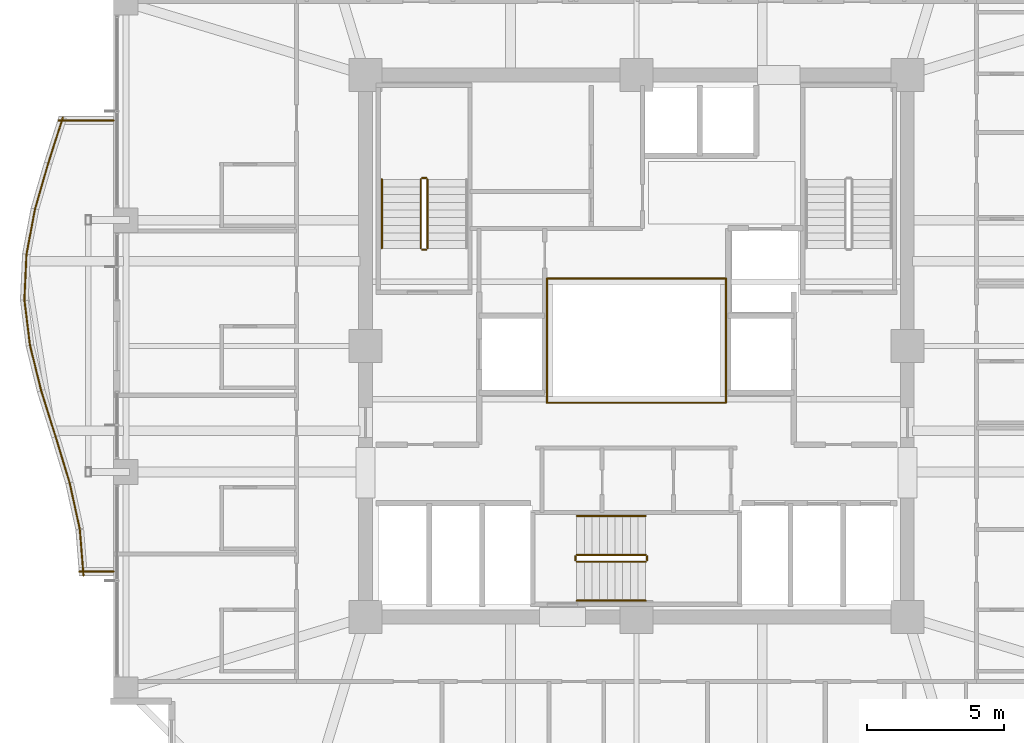
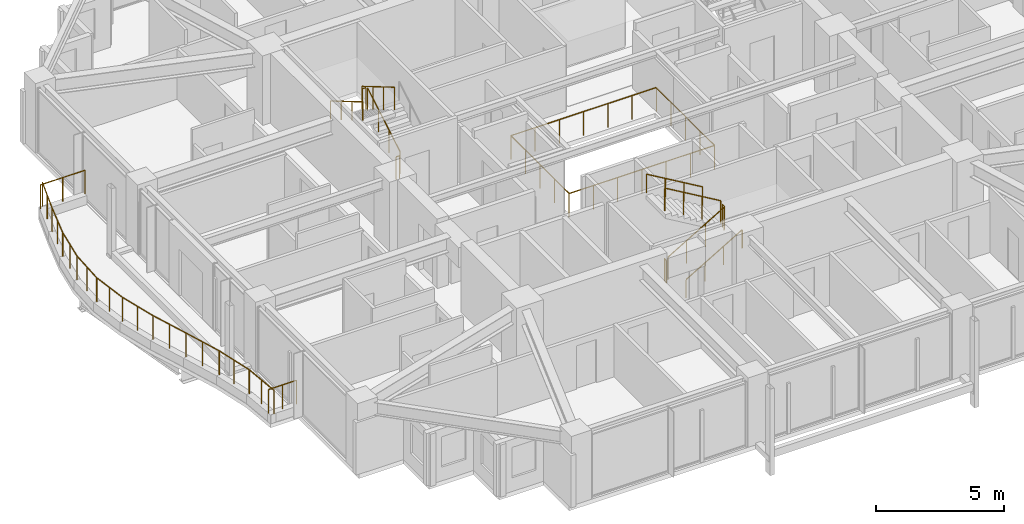
# One storey, part 36 of 37: 27 railings.
"""IFC4 building model written with IfcOpenShell, lengths in metres."""

import ifcopenshell
import ifcopenshell.guid

model = None  # the IFC model being written
_history = None  # IfcOwnerHistory: only IFC2X3 demands one
_inside = {}  # id of a spatial element -> (the spatial element, [elements in it])
_under = {}  # id of a project, library or spatial element -> (it, [spatial elements below it])
_declared = {}  # id of a project -> (the project, [libraries it declares])
_typed = {}  # id of a type object -> (the type object, [elements of that type])
_made_of = {}  # id of a material, layer set ... -> (it, [elements and type objects made of it])


def new_model(schema):
    """Start an empty IFC model of exactly this schema.

    Asked for "IFC4X3", IfcOpenShell would pick the latest addendum, in which some entities
    have other attributes; the version numbers below select the first issue.
    IFC2X3 requires an IfcOwnerHistory on every rooted entity: one is made here for all.
    """
    global model, _history
    if schema == "IFC4X3":
        model = ifcopenshell.file(schema_version=(4, 3, 0, 0))
    else:
        model = ifcopenshell.file(schema=schema)
    _inside.clear()
    _under.clear()
    _declared.clear()
    _typed.clear()
    _made_of.clear()
    _history = None
    if model.schema == "IFC2X3":
        org = make("IfcOrganization", Name="unknown")
        user = make(
            "IfcPersonAndOrganization",
            ThePerson=make("IfcPerson", FamilyName="unknown"),
            TheOrganization=org,
        )
        app = make(
            "IfcApplication",
            ApplicationDeveloper=org,
            Version="unknown",
            ApplicationFullName="unknown",
            ApplicationIdentifier="unknown",
        )
        _history = make(
            "IfcOwnerHistory",
            OwningUser=user,
            OwningApplication=app,
            ChangeAction="ADDED",
            CreationDate=0,
        )
    return model


def make(cls, **values):
    """One entity of the class cls with the attributes given. An attribute that is None is left unset."""
    return model.create_entity(
        cls, **{name: value for name, value in values.items() if value is not None}
    )


def rooted(cls, **values):
    """An entity with a GlobalId (a new one), such as an element, a storey or a relation."""
    return make(cls, GlobalId=ifcopenshell.guid.new(), OwnerHistory=_history, **values)


def si_unit(unit_type, name, prefix=None):
    """IfcSIUnit, for example si_unit("LENGTHUNIT", "METRE", prefix="MILLI")."""
    return make("IfcSIUnit", UnitType=unit_type, Prefix=prefix, Name=name)


def assignment(units):
    """IfcUnitAssignment: the units of a project."""
    return None if units is None else make("IfcUnitAssignment", Units=units)


def point(xyz):
    """IfcCartesianPoint."""
    return None if xyz is None else make("IfcCartesianPoint", Coordinates=xyz)


def direction(xyz):
    """IfcDirection."""
    return None if xyz is None else make("IfcDirection", DirectionRatios=xyz)


def frame(location, z_axis=None, x_axis=None):
    """IfcAxis2Placement3D, a coordinate frame: its origin and axes. An axis left out is left unset."""
    return make(
        "IfcAxis2Placement3D",
        Location=point(location),
        Axis=direction(z_axis),
        RefDirection=direction(x_axis),
    )


def frame_2d(location, x_axis=None):
    """IfcAxis2Placement2D, a coordinate frame in the plane: its origin and x axis."""
    return make(
        "IfcAxis2Placement2D", Location=point(location), RefDirection=direction(x_axis)
    )


def origin():
    """The frame at (0, 0, 0) with its axes left unset."""
    return frame((0.0, 0.0, 0.0))


def origin_2d():
    """The frame at (0, 0) in the plane with its x axis left unset."""
    return frame_2d((0.0, 0.0))


def place(relative_to, where):
    """IfcLocalPlacement: puts the frame where relative to a parent placement (None: the world)."""
    return make(
        "IfcLocalPlacement", PlacementRelTo=relative_to, RelativePlacement=where
    )


def context(
    kind, dimensions, precision=None, world=None, true_north=None, identifier=None
):
    """IfcGeometricRepresentationContext, for example the 3D "Model" context."""
    return make(
        "IfcGeometricRepresentationContext",
        ContextIdentifier=identifier,
        ContextType=kind,
        CoordinateSpaceDimension=dimensions,
        Precision=precision,
        WorldCoordinateSystem=world,
        TrueNorth=true_north,
    )


def subcontext(parent, identifier, kind, view, scale=None):
    """IfcGeometricRepresentationSubContext, for example "Body" below "Model"."""
    return make(
        "IfcGeometricRepresentationSubContext",
        ContextIdentifier=identifier,
        ContextType=kind,
        ParentContext=parent,
        TargetScale=scale,
        TargetView=view,
    )


def project(units=None, contexts=None):
    """IfcProject with its units and contexts."""
    return rooted(
        "IfcProject",
        Name="project",
        RepresentationContexts=contexts,
        UnitsInContext=assignment(units),
    )


def spatial(cls, under=None, at=None, **own):
    """A site, building, storey or space (cls), placed at a placement, below another one or the project."""
    s = rooted(cls, ObjectPlacement=at, **own)
    if under is not None:
        _under.setdefault(under.id(), (under, []))[1].append(s)
    return s


def profile(cls, at=None, kind="AREA", **sizes):
    """A parametric profile (cls). Its sizes go by their IFC names, for example OverallWidth=200.0."""
    return make(cls, ProfileType=kind, Position=at, **sizes)


def circle(**sizes):
    """IfcCircleProfileDef."""
    return profile("IfcCircleProfileDef", **sizes)


def extrude(swept, where, along, depth):
    """IfcExtrudedAreaSolid: the profile swept, set in the frame where, extruded along a direction by depth."""
    return make(
        "IfcExtrudedAreaSolid",
        SweptArea=swept,
        Position=where,
        ExtrudedDirection=direction(along),
        Depth=depth,
    )


def shape(context_of_items, identifier, shape_type, items):
    """IfcShapeRepresentation: the items that make up one representation, for example the "Body"."""
    return make(
        "IfcShapeRepresentation",
        ContextOfItems=context_of_items,
        RepresentationIdentifier=identifier,
        RepresentationType=shape_type,
        Items=items,
    )


def material(Name=None, Category=None):
    """IfcMaterial."""
    return make("IfcMaterial", Name=Name, Category=Category)


def made_of(thing, what):
    """Note that an element or type object is made of a material, layer set ...; save() writes the relation."""
    if what is not None:
        _made_of.setdefault(what.id(), (what, []))[1].append(thing)
    return thing


def type_object(cls, material=None, **own):
    """A type object (cls), such as IfcWallType, which elements share."""
    return made_of(rooted(cls, **own), material)


def element(
    cls,
    number,
    at=None,
    inside=None,
    cuts=None,
    type_object=None,
    material=None,
    context=None,
    identifier="Body",
    shape_type=None,
    held_by="IfcProductDefinitionShape",
    body=None,
    shapes=None,
    **own,
):
    """One element of the class cls, such as IfcWall. Its Tag is "e" and its number.

    at: its placement. inside: the storey or other place that contains it. cuts: it is an
    opening in that element (IfcRelVoidsElement). A single representation is given by context,
    identifier, shape_type and body (its items); several are given by shapes. held_by: the class
    of the entity that holds the representations. save() writes the other relations.
    """
    e = rooted(cls, Tag="e%d" % number, ObjectPlacement=at, **own)
    if body is not None:
        shapes = [shape(context, identifier, shape_type, body)]
    if shapes is not None:
        e.Representation = make(held_by, Representations=shapes)
    if inside is not None:
        _inside.setdefault(inside.id(), (inside, []))[1].append(e)
    if cuts is not None:
        rooted(
            "IfcRelVoidsElement", RelatingBuildingElement=cuts, RelatedOpeningElement=e
        )
    if type_object is not None:
        _typed.setdefault(type_object.id(), (type_object, []))[1].append(e)
    return made_of(e, material)


def aggregate(whole, parts):
    """IfcRelAggregates: a whole, such as a stair, and the parts it consists of."""
    return rooted("IfcRelAggregates", RelatingObject=whole, RelatedObjects=parts)


def save(model, path):
    """Write the relations noted so far, then the file.

    IfcRelAggregates (storeys below a building ...), IfcRelContainedInSpatialStructure (elements
    in a storey), IfcRelDefinesByType, IfcRelAssociatesMaterial and IfcRelDeclares: one each for
    every whole, place, type object, material and project.
    """
    for whole, parts in _under.values():
        aggregate(whole, parts)
    for where, things in _inside.values():
        rooted(
            "IfcRelContainedInSpatialStructure",
            RelatedElements=things,
            RelatingStructure=where,
        )
    for kind, things in _typed.values():
        rooted("IfcRelDefinesByType", RelatedObjects=things, RelatingType=kind)
    for what, things in _made_of.values():
        rooted("IfcRelAssociatesMaterial", RelatedObjects=things, RelatingMaterial=what)
    for by, libraries in _declared.values():
        rooted("IfcRelDeclares", RelatingContext=by, RelatedDefinitions=libraries)
    model.write(path)


model = new_model("IFC4")

# Units and contexts
model_context = context("Model", 3, precision=1e-05, world=origin(), true_north=direction((0.0, 1.0)))
body_context = subcontext(model_context, "Body", "Model", "MODEL_VIEW")
ifc_project = project(units=[si_unit("LENGTHUNIT", "METRE"), si_unit("AREAUNIT", "SQUARE_METRE"), si_unit("VOLUMEUNIT", "CUBIC_METRE"), si_unit("PLANEANGLEUNIT", "RADIAN"), si_unit("MASSUNIT", "GRAM", prefix="KILO")], contexts=[model_context])

# Site, building, storey
site_placement = place(None, origin())
site = spatial("IfcSite", under=ifc_project, at=site_placement, CompositionType="ELEMENT")
building_placement = place(site_placement, origin())
building = spatial("IfcBuilding", under=site, at=building_placement, Name="Kolvaren Belvedere", CompositionType="ELEMENT")
storey_placement = place(building_placement, frame((0.0, 0.0, 156.89990234375)))
storey = spatial("IfcBuildingStorey", under=building, at=storey_placement, Name="L45", CompositionType="ELEMENT", Elevation=156.89990234375)

# Railings
ifc_material_1 = material(Name="Laminated glass & stainless-steel cap rail", Category="steel")
railing_type_1 = type_object("IfcRailingType", Name="RL-ATR-1150", PredefinedType="BALUSTRADE", material=ifc_material_1)
for number, where, name in (
    (1, (-3.27001953125, 2.469970703125, 0.0), "L45 Atrium North Glass Balustrade"),
    (2, (-3.27001953125, -2.070068359375, 0.0), "L45 Atrium South Glass Balustrade"),
):
    element("IfcRailing", number, at=place(storey_placement, frame(where)), inside=storey, type_object=railing_type_1, Name=name, PredefinedType="BALUSTRADE", context=body_context, shape_type="SweptSolid", body=[
        extrude(circle(Radius=0.02392578125, at=origin_2d()), frame((0.0, 0.0, 1.1259765625), z_axis=(1.0, 0.0, 0.0), x_axis=(0.0, 1.0, 0.0)), (0.0, 0.0, 1.0), 6.5400390625),
        extrude(circle(Radius=0.02099609375, at=origin_2d()), origin(), (0.0, 0.0, 1.0), 1.101806640625),
        extrude(circle(Radius=0.02099609375, at=origin_2d()), frame((1.090087890625, 0.0, 0.0)), (0.0, 0.0, 1.0), 1.101806640625),
        extrude(circle(Radius=0.02099609375, at=origin_2d()), frame((2.179931640625, 0.0, 0.0)), (0.0, 0.0, 1.0), 1.101806640625),
        extrude(circle(Radius=0.02099609375, at=origin_2d()), frame((3.27001953125, 0.0, 0.0)), (0.0, 0.0, 1.0), 1.101806640625),
        extrude(circle(Radius=0.02099609375, at=origin_2d()), frame((4.360107421875, 0.0, 0.0)), (0.0, 0.0, 1.0), 1.101806640625),
        extrude(circle(Radius=0.02099609375, at=origin_2d()), frame((5.449951171875, 0.0, 0.0)), (0.0, 0.0, 1.0), 1.101806640625),
        extrude(circle(Radius=0.02099609375, at=origin_2d()), frame((6.5400390625, 0.0, 0.0)), (0.0, 0.0, 1.0), 1.101806640625),
    ])
for number, where, name in (
    (3, (-3.27001953125, -2.070068359375, 0.0), "L45 Atrium West Glass Balustrade"),
    (4, (3.27001953125, -2.070068359375, 0.0), "L45 Atrium East Glass Balustrade"),
):
    element("IfcRailing", number, at=place(storey_placement, frame(where)), inside=storey, type_object=railing_type_1, Name=name, PredefinedType="BALUSTRADE", context=body_context, shape_type="SweptSolid", body=[
        extrude(circle(Radius=0.02392578125, at=origin_2d()), frame((0.0, 0.0, 1.1259765625), z_axis=(0.0, 1.0, 0.0), x_axis=(-1.0, 0.0, 0.0)), (0.0, 0.0, 1.0), 4.5400390625),
        extrude(circle(Radius=0.02099609375, at=origin_2d()), origin(), (0.0, 0.0, 1.0), 1.101806640625),
        extrude(circle(Radius=0.02099609375, at=origin_2d()), frame((0.0, 1.135009765625, 0.0)), (0.0, 0.0, 1.0), 1.101806640625),
        extrude(circle(Radius=0.02099609375, at=origin_2d()), frame((0.0, 2.27001953125, 0.0)), (0.0, 0.0, 1.0), 1.101806640625),
        extrude(circle(Radius=0.02099609375, at=origin_2d()), frame((0.0, 3.405029296875, 0.0)), (0.0, 0.0, 1.0), 1.101806640625),
        extrude(circle(Radius=0.02099609375, at=origin_2d()), frame((0.0, 4.5400390625, 0.0)), (0.0, 0.0, 1.0), 1.101806640625),
    ])
ifc_material_2 = material(Name="Anodised pale-metal aluminium & laminated glass guard", Category="aluminium")
railing_type_2 = type_object("IfcRailingType", Name="RL-GUARD-1150", PredefinedType="GUARDRAIL", material=ifc_material_2)
railing_1_placement = place(storey_placement, frame((-20.953857421875, 8.351318359375, 0.400146484375)))
element("IfcRailing", 5, at=railing_1_placement, inside=storey, type_object=railing_type_2, Name="L45 Exterior Deck Safety Guard BAL-W-1", PredefinedType="GUARDRAIL", context=body_context, shape_type="SweptSolid", body=[
    extrude(circle(Radius=0.02392578125, at=origin_2d()), frame((0.0, 0.0, 1.1259765625), z_axis=(-0.304032153573, -0.952661770826, 0.0), x_axis=(0.952661770826, -0.304032153573, 0.0)), (0.0, 0.0, 1.0), 1.763427734375),
    extrude(circle(Radius=0.02099609375, at=origin_2d()), origin(), (0.0, 0.0, 1.0), 1.101806640625),
    extrude(circle(Radius=0.02099609375, at=origin_2d()), frame((-0.26806640625, -0.83984375, 0.0)), (0.0, 0.0, 1.0), 1.101806640625),
    extrude(circle(Radius=0.02099609375, at=origin_2d()), frame((-0.5361328125, -1.679931640625, 0.0)), (0.0, 0.0, 1.0), 1.101806640625),
])
railing_2_placement = place(storey_placement, frame((-21.48876953125, 6.675537109375, 0.400146484375)))
element("IfcRailing", 6, at=railing_2_placement, inside=storey, type_object=railing_type_2, Name="L45 Exterior Deck Safety Guard BAL-W-2", PredefinedType="GUARDRAIL", context=body_context, shape_type="SweptSolid", body=[
    extrude(circle(Radius=0.02392578125, at=origin_2d()), frame((0.0, 0.0, 1.1259765625), z_axis=(-0.277817391164, -0.960633903819, 0.0), x_axis=(0.960633903819, -0.277817391164, 0.0)), (0.0, 0.0, 1.0), 1.748779296875),
    extrude(circle(Radius=0.02099609375, at=origin_2d()), origin(), (0.0, 0.0, 1.0), 1.101806640625),
    extrude(circle(Radius=0.02099609375, at=origin_2d()), frame((-0.242919921875, -0.83984375, 0.0)), (0.0, 0.0, 1.0), 1.101806640625),
    extrude(circle(Radius=0.02099609375, at=origin_2d()), frame((-0.48583984375, -1.679931640625, 0.0)), (0.0, 0.0, 1.0), 1.101806640625),
])
railing_3_placement = place(storey_placement, frame((-21.97119140625, 5.010498046875, 0.400146484375)))
element("IfcRailing", 7, at=railing_3_placement, inside=storey, type_object=railing_type_2, Name="L45 Exterior Deck Safety Guard BAL-W-3", PredefinedType="GUARDRAIL", context=body_context, shape_type="SweptSolid", body=[
    extrude(circle(Radius=0.02392578125, at=origin_2d()), frame((0.0, 0.0, 1.1259765625), z_axis=(-0.184788595231, -0.982778293957, 0.0), x_axis=(0.982778293957, -0.184788595231, 0.0)), (0.0, 0.0, 1.0), 1.709716796875),
    extrude(circle(Radius=0.02099609375, at=origin_2d()), origin(), (0.0, 0.0, 1.0), 1.101806640625),
    extrude(circle(Radius=0.02099609375, at=origin_2d()), frame((-0.157958984375, -0.840087890625, 0.0)), (0.0, 0.0, 1.0), 1.101806640625),
    extrude(circle(Radius=0.02099609375, at=origin_2d()), frame((-0.31591796875, -1.68017578125, 0.0)), (0.0, 0.0, 1.0), 1.101806640625),
])
railing_4_placement = place(storey_placement, frame((-22.284423828125, 3.352783203125, 0.400146484375)))
element("IfcRailing", 8, at=railing_4_placement, inside=storey, type_object=railing_type_2, Name="L45 Exterior Deck Safety Guard BAL-W-4", PredefinedType="GUARDRAIL", context=body_context, shape_type="SweptSolid", body=[
    extrude(circle(Radius=0.02392578125, at=origin_2d()), frame((0.0, 0.0, 1.1259765625), z_axis=(-0.045005941428, -0.998986719249, 0.0), x_axis=(0.998986719249, -0.045005941428, 0.0)), (0.0, 0.0, 1.0), 1.681640625),
    extrude(circle(Radius=0.02099609375, at=origin_2d()), origin(), (0.0, 0.0, 1.0), 1.101806640625),
    extrude(circle(Radius=0.02099609375, at=origin_2d()), frame((-0.037841796875, -0.83984375, 0.0)), (0.0, 0.0, 1.0), 1.101806640625),
    extrude(circle(Radius=0.02099609375, at=origin_2d()), frame((-0.07568359375, -1.679931640625, 0.0)), (0.0, 0.0, 1.0), 1.101806640625),
])
railing_5_placement = place(storey_placement, frame((-22.361083984375, 1.699462890625, 0.400146484375)))
element("IfcRailing", 9, at=railing_5_placement, inside=storey, type_object=railing_type_2, Name="L45 Exterior Deck Safety Guard BAL-W-5", PredefinedType="GUARDRAIL", context=body_context, shape_type="SweptSolid", body=[
    extrude(circle(Radius=0.02392578125, at=origin_2d()), frame((0.0, 0.0, 1.1259765625), z_axis=(0.121886315522, -0.99254406758, 0.0), x_axis=(0.99254406758, 0.121886315522, 0.0)), (0.0, 0.0, 1.0), 1.692626953125),
    extrude(circle(Radius=0.02099609375, at=origin_2d()), origin(), (0.0, 0.0, 1.0), 1.101806640625),
    extrude(circle(Radius=0.02099609375, at=origin_2d()), frame((0.10302734375, -0.83984375, 0.0)), (0.0, 0.0, 1.0), 1.101806640625),
    extrude(circle(Radius=0.02099609375, at=origin_2d()), frame((0.206298828125, -1.679931640625, 0.0)), (0.0, 0.0, 1.0), 1.101806640625),
])
railing_6_placement = place(storey_placement, frame((-22.158203125, 0.038330078125, 0.400146484375)))
element("IfcRailing", 10, at=railing_6_placement, inside=storey, type_object=railing_type_2, Name="L45 Exterior Deck Safety Guard BAL-W-6", PredefinedType="GUARDRAIL", context=body_context, shape_type="SweptSolid", body=[
    extrude(circle(Radius=0.02392578125, at=origin_2d()), frame((0.0, 0.0, 1.1259765625), z_axis=(0.239180748277, -0.970975061293, 0.0), x_axis=(0.970975061293, 0.239180748277, 0.0)), (0.0, 0.0, 1.0), 1.730224609375),
    extrude(circle(Radius=0.02099609375, at=origin_2d()), origin(), (0.0, 0.0, 1.0), 1.101806640625),
    extrude(circle(Radius=0.02099609375, at=origin_2d()), frame((0.20703125, -0.83984375, 0.0)), (0.0, 0.0, 1.0), 1.101806640625),
    extrude(circle(Radius=0.02099609375, at=origin_2d()), frame((0.413818359375, -1.679931640625, 0.0)), (0.0, 0.0, 1.0), 1.101806640625),
])
railing_7_placement = place(storey_placement, frame((-21.747314453125, -1.632080078125, 0.400146484375)))
element("IfcRailing", 11, at=railing_7_placement, inside=storey, type_object=railing_type_2, Name="L45 Exterior Deck Safety Guard BAL-W-7", PredefinedType="GUARDRAIL", context=body_context, shape_type="SweptSolid", body=[
    extrude(circle(Radius=0.02392578125, at=origin_2d()), frame((0.0, 0.0, 1.1259765625), z_axis=(0.299750886874, -0.95401750813, 0.0), x_axis=(0.95401750813, 0.299750886874, 0.0)), (0.0, 0.0, 1.0), 1.760986328125),
    extrude(circle(Radius=0.02099609375, at=origin_2d()), origin(), (0.0, 0.0, 1.0), 1.101806640625),
    extrude(circle(Radius=0.02099609375, at=origin_2d()), frame((0.263916015625, -0.83984375, 0.0)), (0.0, 0.0, 1.0), 1.101806640625),
    extrude(circle(Radius=0.02099609375, at=origin_2d()), frame((0.52783203125, -1.679931640625, 0.0)), (0.0, 0.0, 1.0), 1.101806640625),
])
railing_8_placement = place(storey_placement, frame((-21.218994140625, -3.3134765625, 0.400146484375)))
element("IfcRailing", 12, at=railing_8_placement, inside=storey, type_object=railing_type_2, Name="L45 Exterior Deck Safety Guard BAL-W-8", PredefinedType="GUARDRAIL", context=body_context, shape_type="SweptSolid", body=[
    extrude(circle(Radius=0.02392578125, at=origin_2d()), frame((0.0, 0.0, 1.1259765625), z_axis=(0.290879426191, -0.956759718748, 0.0), x_axis=(0.956759718748, 0.290879426191, 0.0)), (0.0, 0.0, 1.0), 1.755859375),
    extrude(circle(Radius=0.02099609375, at=origin_2d()), origin(), (0.0, 0.0, 1.0), 1.101806640625),
    extrude(circle(Radius=0.02099609375, at=origin_2d()), frame((0.25537109375, -0.83984375, 0.0)), (0.0, 0.0, 1.0), 1.101806640625),
    extrude(circle(Radius=0.02099609375, at=origin_2d()), frame((0.5107421875, -1.679931640625, 0.0)), (0.0, 0.0, 1.0), 1.101806640625),
])
railing_9_placement = place(storey_placement, frame((-20.705078125, -5.005859375, 0.400146484375)))
element("IfcRailing", 13, at=railing_9_placement, inside=storey, type_object=railing_type_2, Name="L45 Exterior Deck Safety Guard BAL-W-9", PredefinedType="GUARDRAIL", context=body_context, shape_type="SweptSolid", body=[
    extrude(circle(Radius=0.02392578125, at=origin_2d()), frame((0.0, 0.0, 1.1259765625), z_axis=(0.213802724545, -0.976876857632, 0.0), x_axis=(0.976876857632, 0.213802724545, 0.0)), (0.0, 0.0, 1.0), 1.7197265625),
    extrude(circle(Radius=0.02099609375, at=origin_2d()), origin(), (0.0, 0.0, 1.0), 1.101806640625),
    extrude(circle(Radius=0.02099609375, at=origin_2d()), frame((0.183837890625, -0.83984375, 0.0)), (0.0, 0.0, 1.0), 1.101806640625),
    extrude(circle(Radius=0.02099609375, at=origin_2d()), frame((0.36767578125, -1.679931640625, 0.0)), (0.0, 0.0, 1.0), 1.101806640625),
])
railing_10_placement = place(storey_placement, frame((-20.333984375, -6.707275390625, 0.400146484375)))
element("IfcRailing", 14, at=railing_10_placement, inside=storey, type_object=railing_type_2, Name="L45 Exterior Deck Safety Guard BAL-W-10", PredefinedType="GUARDRAIL", context=body_context, shape_type="SweptSolid", body=[
    extrude(circle(Radius=0.02392578125, at=origin_2d()), frame((0.0, 0.0, 1.1259765625), z_axis=(0.079244268248, -0.99685522818, 0.0), x_axis=(0.99685522818, 0.079244268248, 0.0)), (0.0, 0.0, 1.0), 1.685302734375),
    extrude(circle(Radius=0.02099609375, at=origin_2d()), origin(), (0.0, 0.0, 1.0), 1.101806640625),
    extrude(circle(Radius=0.02099609375, at=origin_2d()), frame((0.06689453125, -0.83984375, 0.0)), (0.0, 0.0, 1.0), 1.101806640625),
    extrude(circle(Radius=0.02099609375, at=origin_2d()), frame((0.133544921875, -1.679931640625, 0.0)), (0.0, 0.0, 1.0), 1.101806640625),
])
railing_11_placement = place(storey_placement, frame((-20.360107421875, -8.239990234375, 0.400146484375)))
element("IfcRailing", 15, at=railing_11_placement, inside=storey, type_object=railing_type_2, Name="L45 Exterior Deck Safety Guard BAL-W-11", PredefinedType="GUARDRAIL", context=body_context, shape_type="SweptSolid", body=[
    extrude(circle(Radius=0.02392578125, at=origin_2d()), frame((0.0, 0.0, 1.1259765625), z_axis=(1.0, 0.0, 0.0), x_axis=(0.0, 1.0, 0.0)), (0.0, 0.0, 1.0), 1.260009765625),
    extrude(circle(Radius=0.02099609375, at=origin_2d()), origin(), (0.0, 0.0, 1.0), 1.101806640625),
    extrude(circle(Radius=0.02099609375, at=origin_2d()), frame((0.6298828125, 0.0, 0.0)), (0.0, 0.0, 1.0), 1.101806640625),
    extrude(circle(Radius=0.02099609375, at=origin_2d()), frame((1.260009765625, 0.0, 0.0)), (0.0, 0.0, 1.0), 1.101806640625),
])
railing_12_placement = place(storey_placement, frame((-19.10009765625, 8.239990234375, 0.400146484375)))
element("IfcRailing", 16, at=railing_12_placement, inside=storey, type_object=railing_type_2, Name="L45 Exterior Deck Safety Guard BAL-W-22", PredefinedType="GUARDRAIL", context=body_context, shape_type="SweptSolid", body=[
    extrude(circle(Radius=0.02392578125, at=origin_2d()), frame((0.0, 0.0, 1.1259765625), z_axis=(-1.0, 0.0, 0.0), x_axis=(0.0, -1.0, 0.0)), (0.0, 0.0, 1.0), 2.006103515625),
    extrude(circle(Radius=0.02099609375, at=origin_2d()), origin(), (0.0, 0.0, 1.0), 1.101806640625),
    extrude(circle(Radius=0.02099609375, at=origin_2d()), frame((-1.0029296875, 0.0, 0.0)), (0.0, 0.0, 1.0), 1.101806640625),
    extrude(circle(Radius=0.02099609375, at=origin_2d()), frame((-2.006103515625, 0.0, 0.0)), (0.0, 0.0, 1.0), 1.101806640625),
])
ifc_material_3 = material(Name="Brushed stainless-steel handrail", Category="steel")
railing_type_3 = type_object("IfcRailingType", Name="RL-HANDRAIL-920", PredefinedType="HANDRAIL", material=ifc_material_3)
railing_13_placement = place(storey_placement, frame((-9.300048828125, 6.090087890625, 1.815185546875)))
element("IfcRailing", 17, at=railing_13_placement, inside=storey, type_object=railing_type_3, Name="L45 ST-1 stair handrail 2", PredefinedType="HANDRAIL", context=body_context, shape_type="SweptSolid", body=[
    extrude(circle(Radius=0.02392578125, at=origin_2d()), frame((0.0, 0.0, 0.8759765625), z_axis=(0.0, -0.861560626758, 0.507654692109), x_axis=(1.0, 0.0, 0.0)), (0.0, 0.0, 1.0), 2.925048828125),
    extrude(circle(Radius=0.02099609375, at=origin_2d()), origin(), (0.0, 0.0, 1.0), 0.851806640625),
    extrude(circle(Radius=0.02099609375, at=origin_2d()), frame((0.0, -0.840087890625, 0.494873046875)), (0.0, 0.0, 1.0), 0.851806640625),
    extrude(circle(Radius=0.02099609375, at=origin_2d()), frame((0.0, -1.679931640625, 0.989990234375)), (0.0, 0.0, 1.0), 0.851806640625),
    extrude(circle(Radius=0.02099609375, at=origin_2d()), frame((0.0, -2.52001953125, 1.48486328125)), (0.0, 0.0, 1.0), 0.851806640625),
])
railing_14_placement = place(storey_placement, frame((-2.179931640625, -9.300048828125, 0.1650390625)))
element("IfcRailing", 18, at=railing_14_placement, inside=storey, type_object=railing_type_3, Name="L45 ST-3 stair handrail 1", PredefinedType="HANDRAIL", context=body_context, shape_type="SweptSolid", body=[
    extrude(circle(Radius=0.02392578125, at=origin_2d()), frame((0.0, 0.0, 0.8759765625), z_axis=(0.86152411907, 0.0, 0.507716645641), x_axis=(0.0, 1.0, 0.0)), (0.0, 0.0, 1.0), 2.925048828125),
    extrude(circle(Radius=0.02099609375, at=origin_2d()), origin(), (0.0, 0.0, 1.0), 0.851806640625),
    extrude(circle(Radius=0.02099609375, at=origin_2d()), frame((0.840087890625, 0.0, 0.4951171875)), (0.0, 0.0, 1.0), 0.851806640625),
    extrude(circle(Radius=0.02099609375, at=origin_2d()), frame((1.679931640625, 0.0, 0.989990234375)), (0.0, 0.0, 1.0), 0.851806640625),
    extrude(circle(Radius=0.02099609375, at=origin_2d()), frame((2.52001953125, 0.0, 1.485107421875)), (0.0, 0.0, 1.0), 0.851806640625),
])
railing_15_placement = place(storey_placement, frame((0.340087890625, -6.2099609375, 1.815185546875)))
element("IfcRailing", 19, at=railing_15_placement, inside=storey, type_object=railing_type_3, Name="L45 ST-3 stair handrail 2", PredefinedType="HANDRAIL", context=body_context, shape_type="SweptSolid", body=[
    extrude(circle(Radius=0.02392578125, at=origin_2d()), frame((0.0, 0.0, 0.8759765625), z_axis=(-0.861560626758, 0.0, 0.507654692109), x_axis=(0.0, -1.0, 0.0)), (0.0, 0.0, 1.0), 2.925048828125),
    extrude(circle(Radius=0.02099609375, at=origin_2d()), origin(), (0.0, 0.0, 1.0), 0.851806640625),
    extrude(circle(Radius=0.02099609375, at=origin_2d()), frame((-0.840087890625, 0.0, 0.494873046875)), (0.0, 0.0, 1.0), 0.851806640625),
    extrude(circle(Radius=0.02099609375, at=origin_2d()), frame((-1.679931640625, 0.0, 0.989990234375)), (0.0, 0.0, 1.0), 0.851806640625),
    extrude(circle(Radius=0.02099609375, at=origin_2d()), frame((-2.52001953125, 0.0, 1.48486328125)), (0.0, 0.0, 1.0), 0.851806640625),
])
ifc_material_4 = material(Name="Painted tubular steel stair guard", Category="steel")
railing_type_4 = type_object("IfcRailingType", Name="RL-STGUARD-1100", PredefinedType="GUARDRAIL", material=ifc_material_4)
railing_16_placement = place(storey_placement, frame((-7.6298828125, 3.570068359375, 0.1650390625)))
element("IfcRailing", 20, at=railing_16_placement, inside=storey, type_object=railing_type_4, Name="L45 ST-1 stair guard 1", PredefinedType="GUARDRAIL", context=body_context, shape_type="SweptSolid", body=[
    extrude(circle(Radius=0.02392578125, at=origin_2d()), frame((0.0, 0.0, 1.076171875), z_axis=(0.0, 0.86152411907, 0.507716645641), x_axis=(-1.0, 0.0, 0.0)), (0.0, 0.0, 1.0), 2.925048828125),
    extrude(circle(Radius=0.02099609375, at=origin_2d()), origin(), (0.0, 0.0, 1.0), 1.052001953125),
    extrude(circle(Radius=0.02099609375, at=origin_2d()), frame((0.0, 0.840087890625, 0.4951171875)), (0.0, 0.0, 1.0), 1.052001953125),
    extrude(circle(Radius=0.02099609375, at=origin_2d()), frame((0.0, 1.679931640625, 0.989990234375)), (0.0, 0.0, 1.0), 1.052001953125),
    extrude(circle(Radius=0.02099609375, at=origin_2d()), frame((0.0, 2.52001953125, 1.485107421875)), (0.0, 0.0, 1.0), 1.052001953125),
])
railing_17_placement = place(storey_placement, frame((-7.679931640625, 6.139892578125, 1.650146484375)))
element("IfcRailing", 21, at=railing_17_placement, inside=storey, type_object=railing_type_4, Name="L45 ST-1 stair guard 2", PredefinedType="GUARDRAIL", context=body_context, shape_type="SweptSolid", body=[
    extrude(circle(Radius=0.02392578125, at=origin_2d()), frame((0.0, 0.0, 1.076171875), z_axis=(-1.0, 0.0, 0.0), x_axis=(0.0, -1.0, 0.0)), (0.0, 0.0, 1.0), 0.150146484375),
    extrude(circle(Radius=0.02099609375, at=origin_2d()), origin(), (0.0, 0.0, 1.0), 1.052001953125),
    extrude(circle(Radius=0.02099609375, at=origin_2d()), frame((-0.150146484375, 0.0, 0.0)), (0.0, 0.0, 1.0), 1.052001953125),
])
railing_18_placement = place(storey_placement, frame((-7.8798828125, 6.090087890625, 1.815185546875)))
element("IfcRailing", 22, at=railing_18_placement, inside=storey, type_object=railing_type_4, Name="L45 ST-1 stair guard 3", PredefinedType="GUARDRAIL", context=body_context, shape_type="SweptSolid", body=[
    extrude(circle(Radius=0.02392578125, at=origin_2d()), frame((0.0, 0.0, 1.076171875), z_axis=(0.0, -0.861560626758, 0.507654692109), x_axis=(1.0, 0.0, 0.0)), (0.0, 0.0, 1.0), 2.925048828125),
    extrude(circle(Radius=0.02099609375, at=origin_2d()), origin(), (0.0, 0.0, 1.0), 1.052001953125),
    extrude(circle(Radius=0.02099609375, at=origin_2d()), frame((0.0, -0.840087890625, 0.494873046875)), (0.0, 0.0, 1.0), 1.052001953125),
    extrude(circle(Radius=0.02099609375, at=origin_2d()), frame((0.0, -1.679931640625, 0.989990234375)), (0.0, 0.0, 1.0), 1.052001953125),
    extrude(circle(Radius=0.02099609375, at=origin_2d()), frame((0.0, -2.52001953125, 1.48486328125)), (0.0, 0.0, 1.0), 1.052001953125),
])
railing_19_placement = place(storey_placement, frame((-7.679931640625, 3.52001953125, 0.0)))
element("IfcRailing", 23, at=railing_19_placement, inside=storey, type_object=railing_type_4, Name="L45 ST-1 stair guard 4", PredefinedType="GUARDRAIL", context=body_context, shape_type="SweptSolid", body=[
    extrude(circle(Radius=0.02392578125, at=origin_2d()), frame((0.0, 0.0, 1.076171875), z_axis=(-1.0, 0.0, 0.0), x_axis=(0.0, -1.0, 0.0)), (0.0, 0.0, 1.0), 0.150146484375),
    extrude(circle(Radius=0.02099609375, at=origin_2d()), origin(), (0.0, 0.0, 1.0), 1.052001953125),
    extrude(circle(Radius=0.02099609375, at=origin_2d()), frame((-0.150146484375, 0.0, 0.0)), (0.0, 0.0, 1.0), 1.052001953125),
])
railing_20_placement = place(storey_placement, frame((-2.179931640625, -7.8798828125, 0.1650390625)))
element("IfcRailing", 24, at=railing_20_placement, inside=storey, type_object=railing_type_4, Name="L45 ST-3 stair guard 1", PredefinedType="GUARDRAIL", context=body_context, shape_type="SweptSolid", body=[
    extrude(circle(Radius=0.02392578125, at=origin_2d()), frame((0.0, 0.0, 1.076171875), z_axis=(0.86152411907, 0.0, 0.507716645641), x_axis=(0.0, 1.0, 0.0)), (0.0, 0.0, 1.0), 2.925048828125),
    extrude(circle(Radius=0.02099609375, at=origin_2d()), origin(), (0.0, 0.0, 1.0), 1.052001953125),
    extrude(circle(Radius=0.02099609375, at=origin_2d()), frame((0.840087890625, 0.0, 0.4951171875)), (0.0, 0.0, 1.0), 1.052001953125),
    extrude(circle(Radius=0.02099609375, at=origin_2d()), frame((1.679931640625, 0.0, 0.989990234375)), (0.0, 0.0, 1.0), 1.052001953125),
    extrude(circle(Radius=0.02099609375, at=origin_2d()), frame((2.52001953125, 0.0, 1.485107421875)), (0.0, 0.0, 1.0), 1.052001953125),
])
railing_21_placement = place(storey_placement, frame((0.389892578125, -7.830078125, 1.650146484375)))
element("IfcRailing", 25, at=railing_21_placement, inside=storey, type_object=railing_type_4, Name="L45 ST-3 stair guard 2", PredefinedType="GUARDRAIL", context=body_context, shape_type="SweptSolid", body=[
    extrude(circle(Radius=0.02392578125, at=origin_2d()), frame((0.0, 0.0, 1.076171875), z_axis=(0.0, 1.0, 0.0), x_axis=(-1.0, 0.0, 0.0)), (0.0, 0.0, 1.0), 0.150146484375),
    extrude(circle(Radius=0.02099609375, at=origin_2d()), origin(), (0.0, 0.0, 1.0), 1.052001953125),
    extrude(circle(Radius=0.02099609375, at=origin_2d()), frame((0.0, 0.150146484375, 0.0)), (0.0, 0.0, 1.0), 1.052001953125),
])
railing_22_placement = place(storey_placement, frame((0.340087890625, -7.6298828125, 1.815185546875)))
element("IfcRailing", 26, at=railing_22_placement, inside=storey, type_object=railing_type_4, Name="L45 ST-3 stair guard 3", PredefinedType="GUARDRAIL", context=body_context, shape_type="SweptSolid", body=[
    extrude(circle(Radius=0.02392578125, at=origin_2d()), frame((0.0, 0.0, 1.076171875), z_axis=(-0.861560626758, 0.0, 0.507654692109), x_axis=(0.0, -1.0, 0.0)), (0.0, 0.0, 1.0), 2.925048828125),
    extrude(circle(Radius=0.02099609375, at=origin_2d()), origin(), (0.0, 0.0, 1.0), 1.052001953125),
    extrude(circle(Radius=0.02099609375, at=origin_2d()), frame((-0.840087890625, 0.0, 0.494873046875)), (0.0, 0.0, 1.0), 1.052001953125),
    extrude(circle(Radius=0.02099609375, at=origin_2d()), frame((-1.679931640625, 0.0, 0.989990234375)), (0.0, 0.0, 1.0), 1.052001953125),
    extrude(circle(Radius=0.02099609375, at=origin_2d()), frame((-2.52001953125, 0.0, 1.48486328125)), (0.0, 0.0, 1.0), 1.052001953125),
])
railing_23_placement = place(storey_placement, frame((-2.22998046875, -7.830078125, 0.0)))
element("IfcRailing", 27, at=railing_23_placement, inside=storey, type_object=railing_type_4, Name="L45 ST-3 stair guard 4", PredefinedType="GUARDRAIL", context=body_context, shape_type="SweptSolid", body=[
    extrude(circle(Radius=0.02392578125, at=origin_2d()), frame((0.0, 0.0, 1.076171875), z_axis=(0.0, 1.0, 0.0), x_axis=(-1.0, 0.0, 0.0)), (0.0, 0.0, 1.0), 0.150146484375),
    extrude(circle(Radius=0.02099609375, at=origin_2d()), origin(), (0.0, 0.0, 1.0), 1.052001953125),
    extrude(circle(Radius=0.02099609375, at=origin_2d()), frame((0.0, 0.150146484375, 0.0)), (0.0, 0.0, 1.0), 1.052001953125),
])

save(model, "model.ifc")
